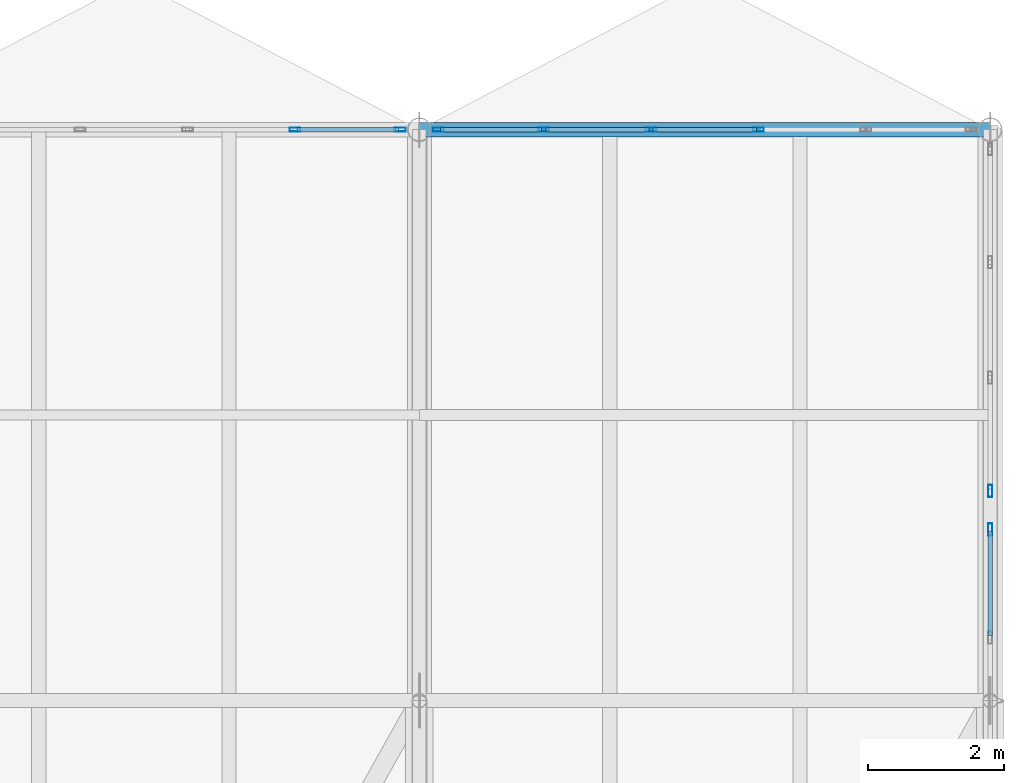
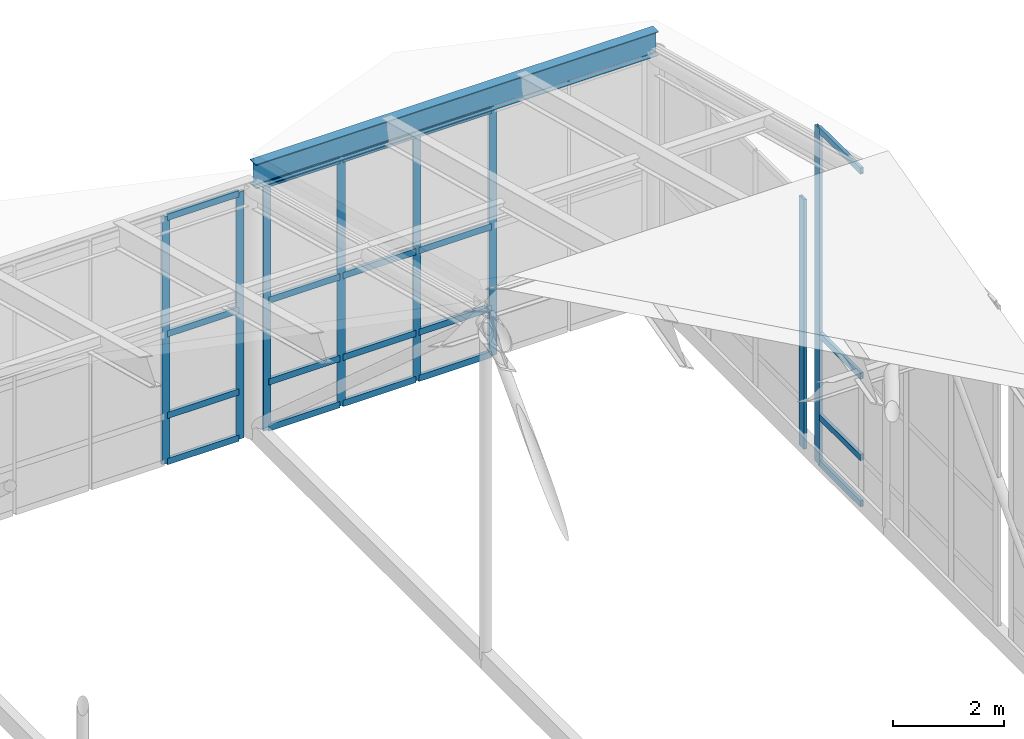
# One storey, part 34 of 43: 28 members, 1 beam, 4 elements without a shape of their own.
"""IFC4 building model written with IfcOpenShell, lengths in metres."""

from ifc_helpers import new_model, si_unit, direction, frame, origin, origin_2d, place, context, subcontext, project, spatial, hollow_rectangle, i_section, extrude, material, layer, layer_set, material_profile, profile_set, type_object, element, aggregate, save


model = new_model("IFC4")

# Units and contexts
model_context = context("Model", 3, precision=1e-05, world=origin(), true_north=direction((0.0, 1.0)))
body_context = subcontext(model_context, "Body", "Model", "MODEL_VIEW")
ifc_project = project(units=[si_unit("LENGTHUNIT", "METRE"), si_unit("AREAUNIT", "SQUARE_METRE"), si_unit("VOLUMEUNIT", "CUBIC_METRE"), si_unit("PLANEANGLEUNIT", "RADIAN"), si_unit("MASSUNIT", "GRAM", prefix="KILO")], contexts=[model_context])

# Site, building, storey
site_placement = place(None, origin())
site = spatial("IfcSite", under=ifc_project, at=site_placement, CompositionType="ELEMENT")
building_placement = place(site_placement, origin())
building = spatial("IfcBuilding", under=site, at=building_placement, Name="Selat Folded Stagehouse", CompositionType="ELEMENT")
storey_placement = place(building_placement, frame((0.0, 0.0, 32.39990234375)))
storey = spatial("IfcBuildingStorey", under=building, at=storey_placement, Name="RF", CompositionType="ELEMENT", Elevation=32.39990234375)

# Beam
ifc_material_1 = material(Name="Steel S355", Category="steel")
ifc_material_profile_1 = material_profile(ifc_material_1, i_section(OverallWidth=0.209228515625, OverallDepth=0.533203125, WebThickness=0.010009765625, FlangeThickness=0.015625, FilletRadius=0.0126953125, at=origin_2d()), Name="UKB 533x210x92")
ifc_profile_set_1 = profile_set([ifc_material_profile_1], Name="Steel S355")
beam_type = type_object("IfcBeamType", Name="BM-GIRD-533x210x92", PredefinedType="BEAM", material=ifc_profile_set_1)
beam_placement = place(storey_placement, frame((58.800048828125, 54.60009765625, 5.723388671875), z_axis=(1.0, 0.0, 0.0), x_axis=(0.0, 1.0, 0.0)))
element("IfcBeam", 1, at=beam_placement, inside=storey, type_object=beam_type, Name="RF bay 7 N roof bearer beam", PredefinedType="BEAM", context=body_context, shape_type="SweptSolid", body=[
    extrude(i_section(OverallWidth=0.209228515625, OverallDepth=0.533203125, WebThickness=0.010009765625, FlangeThickness=0.015625, FilletRadius=0.0126953125, at=origin_2d()), origin(), (0.0, 0.0, 1.0), 8.39990234375),
])

# Curtain wall, members
ifc_material_2 = material(Name="Aluminium 6063-T6", Category="aluminium")
ifc_layer = layer(ifc_material_2, 0.169921875)
ifc_layer_set = layer_set([ifc_layer], Name="Aluminium 6063-T6")
curtain_wall_type = type_object("IfcCurtainWallType", Name="CW-CRN-CLER", PredefinedType="NOTDEFINED", material=ifc_layer_set)
curtain_wall_1_placement = place(storey_placement, origin())
curtain_wall_1 = element("IfcCurtainWall", 2, at=curtain_wall_1_placement, inside=storey, type_object=curtain_wall_type, Name="RF curtain wall CW-RF-N-05", PredefinedType="NOTDEFINED")
ifc_material_profile_2 = material_profile(ifc_material_2, hollow_rectangle(XDim=0.06005859375, YDim=0.159912109375, WallThickness=0.00390625, at=origin_2d()), Name="ALU 160x60x4.0")
ifc_profile_set_2 = profile_set([ifc_material_profile_2], Name="Aluminium 6063-T6")
member_type_1 = type_object("IfcMemberType", Name="CWM-MUL-160x60", PredefinedType="MULLION", material=ifc_profile_set_2)
member_1_placement = place(storey_placement, frame((56.969970703125, 54.60009765625, 0.0), z_axis=(0.0, 0.0, 1.0), x_axis=(0.0, 1.0, 0.0)))
member_1 = element("IfcMember", 3, at=member_1_placement, type_object=member_type_1, Name="CW-09 mullion 5", PredefinedType="MULLION", context=body_context, shape_type="SweptSolid", body=[
    extrude(hollow_rectangle(XDim=0.06005859375, YDim=0.159912109375, WallThickness=0.00390625, at=origin_2d()), origin(), (0.0, 0.0, 1.0), 5.4501953125),
])
member_2_placement = place(storey_placement, frame((58.52001953125, 54.60009765625, 0.0), z_axis=(0.0, 0.0, 1.0), x_axis=(0.0, 1.0, 0.0)))
member_2 = element("IfcMember", 4, at=member_2_placement, type_object=member_type_1, Name="CW-09 mullion 6", PredefinedType="MULLION", context=body_context, shape_type="SweptSolid", body=[
    extrude(hollow_rectangle(XDim=0.06005859375, YDim=0.159912109375, WallThickness=0.00390625, at=origin_2d()), origin(), (0.0, 0.0, 1.0), 5.4501953125),
])

curtain_wall_2_placement = place(storey_placement, origin())
curtain_wall_2 = element("IfcCurtainWall", 5, at=curtain_wall_2_placement, inside=storey, type_object=curtain_wall_type, Name="RF curtain wall CW-RF-N-06", PredefinedType="NOTDEFINED")
member_3_placement = place(storey_placement, frame((59.080078125, 54.60009765625, 0.0), z_axis=(0.0, 0.0, 1.0), x_axis=(0.0, 1.0, 0.0)))
member_3 = element("IfcMember", 6, at=member_3_placement, type_object=member_type_1, Name="CW-09 mullion 1", PredefinedType="MULLION", context=body_context, shape_type="SweptSolid", body=[
    extrude(hollow_rectangle(XDim=0.06005859375, YDim=0.159912109375, WallThickness=0.00390625, at=origin_2d()), origin(), (0.0, 0.0, 1.0), 5.4501953125),
])
member_4_placement = place(storey_placement, frame((60.6298828125, 54.60009765625, 0.0), z_axis=(0.0, 0.0, 1.0), x_axis=(0.0, 1.0, 0.0)))
member_4 = element("IfcMember", 7, at=member_4_placement, type_object=member_type_1, Name="CW-09 mullion 2", PredefinedType="MULLION", context=body_context, shape_type="SweptSolid", body=[
    extrude(hollow_rectangle(XDim=0.06005859375, YDim=0.159912109375, WallThickness=0.00390625, at=origin_2d()), origin(), (0.0, 0.0, 1.0), 5.4501953125),
])
member_5_placement = place(storey_placement, frame((62.2099609375, 54.60009765625, 0.0), z_axis=(0.0, 0.0, 1.0), x_axis=(0.0, 1.0, 0.0)))
member_5 = element("IfcMember", 8, at=member_5_placement, type_object=member_type_1, Name="CW-09 mullion 3", PredefinedType="MULLION", context=body_context, shape_type="SweptSolid", body=[
    extrude(hollow_rectangle(XDim=0.06005859375, YDim=0.159912109375, WallThickness=0.00390625, at=origin_2d()), origin(), (0.0, 0.0, 1.0), 5.4501953125),
])
member_6_placement = place(storey_placement, frame((63.7900390625, 54.60009765625, 0.0), z_axis=(0.0, 0.0, 1.0), x_axis=(0.0, 1.0, 0.0)))
member_6 = element("IfcMember", 9, at=member_6_placement, type_object=member_type_1, Name="CW-09 mullion 4", PredefinedType="MULLION", context=body_context, shape_type="SweptSolid", body=[
    extrude(hollow_rectangle(XDim=0.06005859375, YDim=0.159912109375, WallThickness=0.00390625, at=origin_2d()), origin(), (0.0, 0.0, 1.0), 5.4501953125),
])

# Curtain wall, member
curtain_wall_3_placement = place(storey_placement, origin())
curtain_wall_3 = element("IfcCurtainWall", 10, at=curtain_wall_3_placement, inside=storey, type_object=curtain_wall_type, Name="RF curtain wall CW-RF-E-00", PredefinedType="NOTDEFINED")
ifc_material_profile_3 = material_profile(ifc_material_2, hollow_rectangle(XDim=0.06494140625, YDim=0.179931640625, WallThickness=0.00390625, at=origin_2d()), Name="ALU 180x65x4.0")
ifc_profile_set_3 = profile_set([ifc_material_profile_3], Name="Aluminium 6063-T6")
member_type_2 = type_object("IfcMemberType", Name="CWM-MUL-180x65", PredefinedType="MULLION", material=ifc_profile_set_3)
member_7_placement = place(storey_placement, frame((67.199951171875, 49.282470703125, 0.0), z_axis=(0.0, 0.0, 1.0), x_axis=(1.0, 0.0, 0.0)))
member_7 = element("IfcMember", 11, at=member_7_placement, type_object=member_type_2, Name="CW-09 mullion 4", PredefinedType="MULLION", context=body_context, shape_type="SweptSolid", body=[
    extrude(hollow_rectangle(XDim=0.06494140625, YDim=0.179931640625, WallThickness=0.00390625, at=origin_2d()), origin(), (0.0, 0.0, 1.0), 5.5),
])
aggregate(curtain_wall_3, [member_7])

curtain_wall_4_placement = place(storey_placement, origin())
curtain_wall_4 = element("IfcCurtainWall", 12, at=curtain_wall_4_placement, inside=storey, type_object=curtain_wall_type, Name="RF curtain wall CW-RF-E-01", PredefinedType="NOTDEFINED")
member_8_placement = place(storey_placement, frame((67.199951171875, 48.717529296875, 0.0), z_axis=(0.0, 0.0, 1.0), x_axis=(1.0, 0.0, 0.0)))
member_8 = element("IfcMember", 13, at=member_8_placement, type_object=member_type_2, Name="CW-09 mullion 1", PredefinedType="MULLION", context=body_context, shape_type="SweptSolid", body=[
    extrude(hollow_rectangle(XDim=0.06494140625, YDim=0.179931640625, WallThickness=0.00390625, at=origin_2d()), origin(), (0.0, 0.0, 1.0), 7.400146484375),
])

# Member
ifc_material_profile_4 = material_profile(ifc_material_2, hollow_rectangle(XDim=0.06494140625, YDim=0.139892578125, WallThickness=0.00390625, at=origin_2d()), Name="ALU 140x65x4.0")
ifc_profile_set_4 = profile_set([ifc_material_profile_4], Name="Aluminium 6063-T6")
member_type_3 = type_object("IfcMemberType", Name="CWM-TRN-140x65", PredefinedType="USERDEFINED", material=ifc_profile_set_4)
member_9_placement = place(storey_placement, frame((57.0, 54.60009765625, 0.03271484375), z_axis=(1.0, 0.0, 0.0), x_axis=(0.0, 1.0, 0.0)))
member_9 = element("IfcMember", 14, at=member_9_placement, type_object=member_type_3, Name="CW-09 transom 5.1", ObjectType="TRANSOM", PredefinedType="USERDEFINED", context=body_context, shape_type="SweptSolid", body=[
    extrude(hollow_rectangle(XDim=0.06494140625, YDim=0.139892578125, WallThickness=0.00390625, at=origin_2d()), origin(), (0.0, 0.0, 1.0), 1.489990234375),
])

member_10_placement = place(storey_placement, frame((57.0, 54.60009765625, 1.050048828125), z_axis=(1.0, 0.0, 0.0), x_axis=(0.0, 1.0, 0.0)))
member_10 = element("IfcMember", 15, at=member_10_placement, type_object=member_type_3, Name="CW-09 transom 5.2", ObjectType="TRANSOM", PredefinedType="USERDEFINED", context=body_context, shape_type="SweptSolid", body=[
    extrude(hollow_rectangle(XDim=0.06494140625, YDim=0.139892578125, WallThickness=0.00390625, at=origin_2d()), origin(), (0.0, 0.0, 1.0), 1.489990234375),
])

member_11_placement = place(storey_placement, frame((57.0, 54.60009765625, 2.85009765625), z_axis=(1.0, 0.0, 0.0), x_axis=(0.0, 1.0, 0.0)))
member_11 = element("IfcMember", 16, at=member_11_placement, type_object=member_type_3, Name="CW-09 transom 5.3", ObjectType="TRANSOM", PredefinedType="USERDEFINED", context=body_context, shape_type="SweptSolid", body=[
    extrude(hollow_rectangle(XDim=0.06494140625, YDim=0.139892578125, WallThickness=0.00390625, at=origin_2d()), origin(), (0.0, 0.0, 1.0), 1.489990234375),
])

member_12_placement = place(storey_placement, frame((57.0, 54.60009765625, 5.41748046875), z_axis=(1.0, 0.0, 0.0), x_axis=(0.0, 1.0, 0.0)))
member_12 = element("IfcMember", 17, at=member_12_placement, type_object=member_type_3, Name="CW-09 transom 5.4", ObjectType="TRANSOM", PredefinedType="USERDEFINED", context=body_context, shape_type="SweptSolid", body=[
    extrude(hollow_rectangle(XDim=0.06494140625, YDim=0.139892578125, WallThickness=0.00390625, at=origin_2d()), origin(), (0.0, 0.0, 1.0), 1.489990234375),
])

aggregate(curtain_wall_1, [member_1, member_2, member_9, member_10, member_11, member_12])

member_13_placement = place(storey_placement, frame((59.110107421875, 54.60009765625, 0.03271484375), z_axis=(1.0, 0.0, 0.0), x_axis=(0.0, 1.0, 0.0)))
member_13 = element("IfcMember", 18, at=member_13_placement, type_object=member_type_3, Name="CW-09 transom 1.1", ObjectType="TRANSOM", PredefinedType="USERDEFINED", context=body_context, shape_type="SweptSolid", body=[
    extrude(hollow_rectangle(XDim=0.06494140625, YDim=0.139892578125, WallThickness=0.00390625, at=origin_2d()), origin(), (0.0, 0.0, 1.0), 1.489990234375),
])

member_14_placement = place(storey_placement, frame((59.110107421875, 54.60009765625, 1.050048828125), z_axis=(1.0, 0.0, 0.0), x_axis=(0.0, 1.0, 0.0)))
member_14 = element("IfcMember", 19, at=member_14_placement, type_object=member_type_3, Name="CW-09 transom 1.2", ObjectType="TRANSOM", PredefinedType="USERDEFINED", context=body_context, shape_type="SweptSolid", body=[
    extrude(hollow_rectangle(XDim=0.06494140625, YDim=0.139892578125, WallThickness=0.00390625, at=origin_2d()), origin(), (0.0, 0.0, 1.0), 1.489990234375),
])

member_15_placement = place(storey_placement, frame((59.110107421875, 54.60009765625, 2.85009765625), z_axis=(1.0, 0.0, 0.0), x_axis=(0.0, 1.0, 0.0)))
member_15 = element("IfcMember", 20, at=member_15_placement, type_object=member_type_3, Name="CW-09 transom 1.3", ObjectType="TRANSOM", PredefinedType="USERDEFINED", context=body_context, shape_type="SweptSolid", body=[
    extrude(hollow_rectangle(XDim=0.06494140625, YDim=0.139892578125, WallThickness=0.00390625, at=origin_2d()), origin(), (0.0, 0.0, 1.0), 1.489990234375),
])

member_16_placement = place(storey_placement, frame((59.110107421875, 54.60009765625, 5.41748046875), z_axis=(1.0, 0.0, 0.0), x_axis=(0.0, 1.0, 0.0)))
member_16 = element("IfcMember", 21, at=member_16_placement, type_object=member_type_3, Name="CW-09 transom 1.4", ObjectType="TRANSOM", PredefinedType="USERDEFINED", context=body_context, shape_type="SweptSolid", body=[
    extrude(hollow_rectangle(XDim=0.06494140625, YDim=0.139892578125, WallThickness=0.00390625, at=origin_2d()), origin(), (0.0, 0.0, 1.0), 1.489990234375),
])

member_17_placement = place(storey_placement, frame((60.659912109375, 54.60009765625, 0.03271484375), z_axis=(1.0, 0.0, 0.0), x_axis=(0.0, 1.0, 0.0)))
member_17 = element("IfcMember", 22, at=member_17_placement, type_object=member_type_3, Name="CW-09 transom 2.1", ObjectType="TRANSOM", PredefinedType="USERDEFINED", context=body_context, shape_type="SweptSolid", body=[
    extrude(hollow_rectangle(XDim=0.06494140625, YDim=0.139892578125, WallThickness=0.00390625, at=origin_2d()), origin(), (0.0, 0.0, 1.0), 1.52001953125),
])

member_18_placement = place(storey_placement, frame((60.659912109375, 54.60009765625, 1.050048828125), z_axis=(1.0, 0.0, 0.0), x_axis=(0.0, 1.0, 0.0)))
member_18 = element("IfcMember", 23, at=member_18_placement, type_object=member_type_3, Name="CW-09 transom 2.2", ObjectType="TRANSOM", PredefinedType="USERDEFINED", context=body_context, shape_type="SweptSolid", body=[
    extrude(hollow_rectangle(XDim=0.06494140625, YDim=0.139892578125, WallThickness=0.00390625, at=origin_2d()), origin(), (0.0, 0.0, 1.0), 1.52001953125),
])

member_19_placement = place(storey_placement, frame((60.659912109375, 54.60009765625, 2.85009765625), z_axis=(1.0, 0.0, 0.0), x_axis=(0.0, 1.0, 0.0)))
member_19 = element("IfcMember", 24, at=member_19_placement, type_object=member_type_3, Name="CW-09 transom 2.3", ObjectType="TRANSOM", PredefinedType="USERDEFINED", context=body_context, shape_type="SweptSolid", body=[
    extrude(hollow_rectangle(XDim=0.06494140625, YDim=0.139892578125, WallThickness=0.00390625, at=origin_2d()), origin(), (0.0, 0.0, 1.0), 1.52001953125),
])

member_20_placement = place(storey_placement, frame((60.659912109375, 54.60009765625, 5.41748046875), z_axis=(1.0, 0.0, 0.0), x_axis=(0.0, 1.0, 0.0)))
member_20 = element("IfcMember", 25, at=member_20_placement, type_object=member_type_3, Name="CW-09 transom 2.4", ObjectType="TRANSOM", PredefinedType="USERDEFINED", context=body_context, shape_type="SweptSolid", body=[
    extrude(hollow_rectangle(XDim=0.06494140625, YDim=0.139892578125, WallThickness=0.00390625, at=origin_2d()), origin(), (0.0, 0.0, 1.0), 1.52001953125),
])

member_21_placement = place(storey_placement, frame((62.239990234375, 54.60009765625, 0.03271484375), z_axis=(1.0, 0.0, 0.0), x_axis=(0.0, 1.0, 0.0)))
member_21 = element("IfcMember", 26, at=member_21_placement, type_object=member_type_3, Name="CW-09 transom 3.1", ObjectType="TRANSOM", PredefinedType="USERDEFINED", context=body_context, shape_type="SweptSolid", body=[
    extrude(hollow_rectangle(XDim=0.06494140625, YDim=0.139892578125, WallThickness=0.00390625, at=origin_2d()), origin(), (0.0, 0.0, 1.0), 1.52001953125),
])

member_22_placement = place(storey_placement, frame((62.239990234375, 54.60009765625, 1.050048828125), z_axis=(1.0, 0.0, 0.0), x_axis=(0.0, 1.0, 0.0)))
member_22 = element("IfcMember", 27, at=member_22_placement, type_object=member_type_3, Name="CW-09 transom 3.2", ObjectType="TRANSOM", PredefinedType="USERDEFINED", context=body_context, shape_type="SweptSolid", body=[
    extrude(hollow_rectangle(XDim=0.06494140625, YDim=0.139892578125, WallThickness=0.00390625, at=origin_2d()), origin(), (0.0, 0.0, 1.0), 1.52001953125),
])

member_23_placement = place(storey_placement, frame((62.239990234375, 54.60009765625, 2.85009765625), z_axis=(1.0, 0.0, 0.0), x_axis=(0.0, 1.0, 0.0)))
member_23 = element("IfcMember", 28, at=member_23_placement, type_object=member_type_3, Name="CW-09 transom 3.3", ObjectType="TRANSOM", PredefinedType="USERDEFINED", context=body_context, shape_type="SweptSolid", body=[
    extrude(hollow_rectangle(XDim=0.06494140625, YDim=0.139892578125, WallThickness=0.00390625, at=origin_2d()), origin(), (0.0, 0.0, 1.0), 1.52001953125),
])

member_24_placement = place(storey_placement, frame((62.239990234375, 54.60009765625, 5.41748046875), z_axis=(1.0, 0.0, 0.0), x_axis=(0.0, 1.0, 0.0)))
member_24 = element("IfcMember", 29, at=member_24_placement, type_object=member_type_3, Name="CW-09 transom 3.4", ObjectType="TRANSOM", PredefinedType="USERDEFINED", context=body_context, shape_type="SweptSolid", body=[
    extrude(hollow_rectangle(XDim=0.06494140625, YDim=0.139892578125, WallThickness=0.00390625, at=origin_2d()), origin(), (0.0, 0.0, 1.0), 1.52001953125),
])

aggregate(curtain_wall_2, [member_3, member_4, member_5, member_6, member_13, member_14, member_15, member_16, member_17, member_18, member_19, member_20, member_21, member_22, member_23, member_24])

member_25_placement = place(storey_placement, frame((67.199951171875, 48.68505859375, 0.03271484375), z_axis=(0.0, -1.0, 0.0), x_axis=(1.0, 0.0, 0.0)))
member_25 = element("IfcMember", 30, at=member_25_placement, type_object=member_type_3, Name="CW-09 transom 1.1", ObjectType="TRANSOM", PredefinedType="USERDEFINED", context=body_context, shape_type="SweptSolid", body=[
    extrude(hollow_rectangle(XDim=0.06494140625, YDim=0.139892578125, WallThickness=0.00390625, at=origin_2d()), origin(), (0.0, 0.0, 1.0), 1.527587890625),
])

member_26_placement = place(storey_placement, frame((67.199951171875, 48.68505859375, 1.050048828125), z_axis=(0.0, -1.0, 0.0), x_axis=(1.0, 0.0, 0.0)))
member_26 = element("IfcMember", 31, at=member_26_placement, type_object=member_type_3, Name="CW-09 transom 1.2", ObjectType="TRANSOM", PredefinedType="USERDEFINED", context=body_context, shape_type="SweptSolid", body=[
    extrude(hollow_rectangle(XDim=0.06494140625, YDim=0.139892578125, WallThickness=0.00390625, at=origin_2d()), origin(), (0.0, 0.0, 1.0), 1.527587890625),
])

member_27_placement = place(storey_placement, frame((67.199951171875, 48.68505859375, 2.85009765625), z_axis=(0.0, -1.0, 0.0), x_axis=(1.0, 0.0, 0.0)))
member_27 = element("IfcMember", 32, at=member_27_placement, type_object=member_type_3, Name="CW-09 transom 1.3", ObjectType="TRANSOM", PredefinedType="USERDEFINED", context=body_context, shape_type="SweptSolid", body=[
    extrude(hollow_rectangle(XDim=0.06494140625, YDim=0.139892578125, WallThickness=0.00390625, at=origin_2d()), origin(), (0.0, 0.0, 1.0), 1.527587890625),
])

member_28_placement = place(storey_placement, frame((67.199951171875, 48.68505859375, 7.36767578125), z_axis=(0.0, -1.0, 0.0), x_axis=(1.0, 0.0, 0.0)))
member_28 = element("IfcMember", 33, at=member_28_placement, type_object=member_type_3, Name="CW-09 transom 1.4", ObjectType="TRANSOM", PredefinedType="USERDEFINED", context=body_context, shape_type="SweptSolid", body=[
    extrude(hollow_rectangle(XDim=0.06494140625, YDim=0.139892578125, WallThickness=0.00390625, at=origin_2d()), origin(), (0.0, 0.0, 1.0), 1.527587890625),
])

aggregate(curtain_wall_4, [member_8, member_25, member_26, member_27, member_28])

save(model, "model.ifc")
